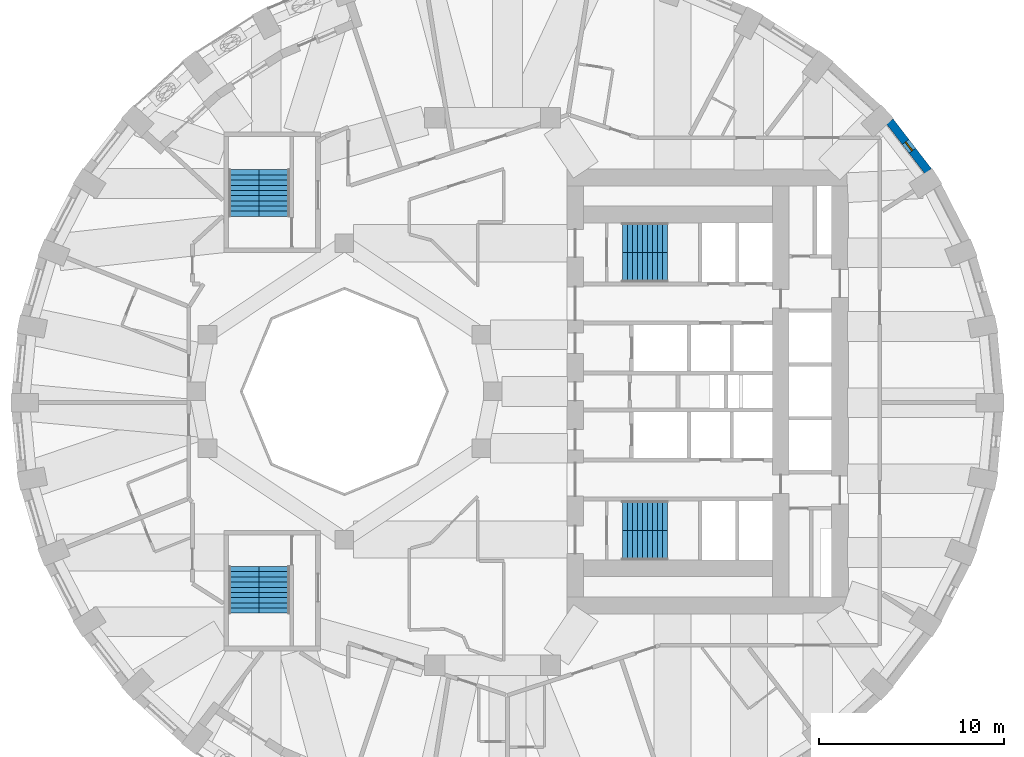
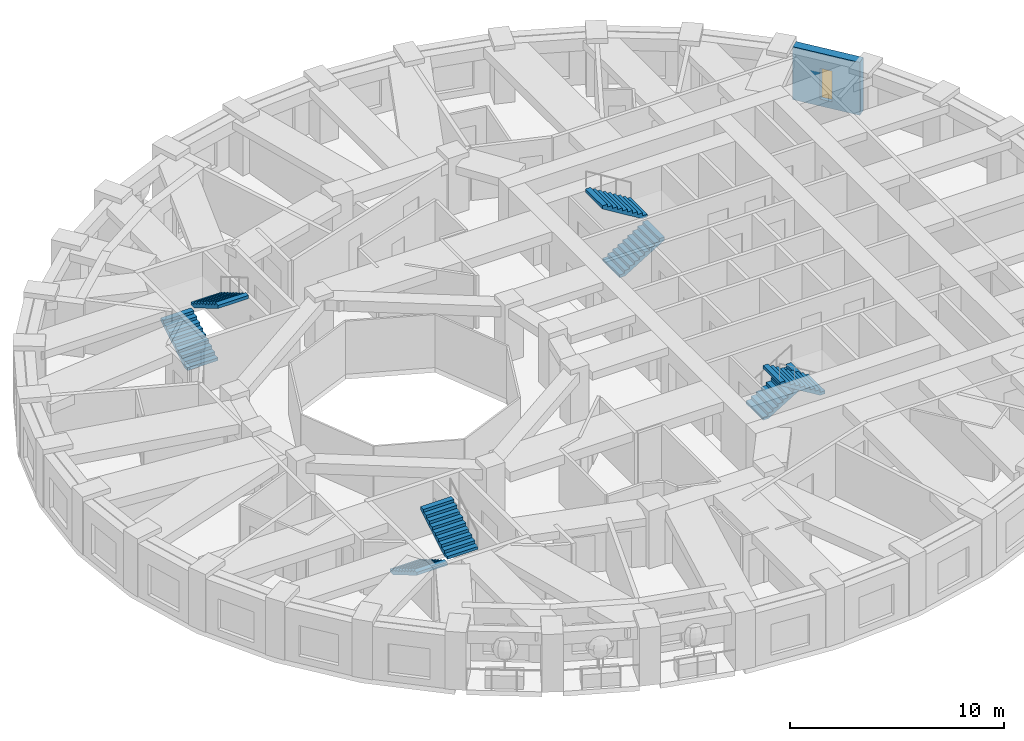
# One storey, part 9 of 12: 8 stair flights, 1 wall, 1 window, 1 opening, 4 elements without a shape of their own.
"""IFC4 building model written with IfcOpenShell, lengths in metres."""

from ifc_helpers import new_model, si_unit, direction, frame, frame_2d, origin, place, context, subcontext, project, spatial, polyline, rectangle, outline, extrude, material, layer, layer_set, type_object, element, fill, aggregate, save


model = new_model("IFC4")

# Units and contexts
model_context = context("Model", 3, precision=1e-05, world=origin(), true_north=direction((0.0, 1.0)))
body_context = subcontext(model_context, "Body", "Model", "MODEL_VIEW")
ifc_project = project(units=[si_unit("LENGTHUNIT", "METRE"), si_unit("AREAUNIT", "SQUARE_METRE"), si_unit("VOLUMEUNIT", "CUBIC_METRE"), si_unit("PLANEANGLEUNIT", "RADIAN"), si_unit("MASSUNIT", "GRAM", prefix="KILO")], contexts=[model_context])

# Site, building, storey
site_placement = place(None, origin())
site = spatial("IfcSite", under=ifc_project, at=site_placement, CompositionType="ELEMENT")
building_placement = place(site_placement, origin())
building = spatial("IfcBuilding", under=site, at=building_placement, Name="Taillehof Tower", CompositionType="ELEMENT")
storey_placement = place(building_placement, frame((0.0, 0.0, 118.60009765625)))
storey = spatial("IfcBuildingStorey", under=building, at=storey_placement, Name="L33", CompositionType="ELEMENT", Elevation=118.60009765625)

# Wall, opening, window
ifc_material_1 = material(Name="Brick masonry", Category="masonry")
ifc_layer = layer(ifc_material_1, 0.449951171875)
ifc_layer_set = layer_set([ifc_layer], Name="Brick infill wall 450")
wall_type = type_object("IfcWallType", Name="Brick infill wall 450", PredefinedType="SOLIDWALL", material=ifc_layer_set)
wall_placement = place(storey_placement, frame((23.508056640625, 11.887451171875, 0.0), z_axis=(0.0, 0.0, 1.0), x_axis=(-0.610693945156, 0.791866721961, 0.0)))
wall = element("IfcWall", 1, at=wall_placement, inside=storey, type_object=wall_type, Name="Brick wall L33 bay 4", PredefinedType="SOLIDWALL", context=body_context, shape_type="SweptSolid", body=[
    extrude(rectangle(XDim=3.39453125, YDim=0.449951171875, at=frame_2d((1.697265625, 0.0))), origin(), (0.0, 0.0, 1.0), 3.02001953125),
])
opening_placement = place(wall_placement, frame((1.397216796875, 0.0, 0.39990234375)))
opening = element("IfcOpeningElement", 2, at=opening_placement, cuts=wall, Name="Opening W6", PredefinedType="OPENING", context=body_context, shape_type="SweptSolid", body=[
    extrude(rectangle(XDim=0.60009765625, YDim=1.75, at=frame_2d((0.300048828125, 0.875))), frame((0.0, 0.23486328125, 0.0), z_axis=(0.0, -1.0, 0.0), x_axis=(1.0, 0.0, 0.0)), (0.0, 0.0, 1.0), 0.469970703125),
])
ifc_material_2 = material(Name="Aluminium window frame with clear double glazing", Category="aluminium")
window_type = type_object("IfcWindowType", Name="Slot window 600x1750", PartitioningType="SINGLE_PANEL", PredefinedType="WINDOW", material=ifc_material_2)
window_placement = place(opening_placement, origin())
window = element("IfcWindow", 3, at=window_placement, inside=storey, type_object=window_type, Name="W6", OverallHeight=1.75, OverallWidth=0.60009765625, PartitioningType="SINGLE_PANEL", PredefinedType="WINDOW", context=body_context, shape_type="SweptSolid", body=[
    extrude(rectangle(XDim=0.60009765625, YDim=1.75, at=frame_2d((0.300048828125, 0.875))), frame((0.0, 0.034912109375, 0.0), z_axis=(0.0, -1.0, 0.0), x_axis=(1.0, 0.0, 0.0)), (0.0, 0.0, 1.0), 0.06005859375),
])
fill(opening, window)

# Stair, stair flights
ifc_material_3 = material(Name="Concrete C40/50", Category="concrete")
stair_type = type_object("IfcStairType", Name="Exit stair half-turn", PredefinedType="HALF_TURN_STAIR", material=ifc_material_3)
stair_1_placement = place(storey_placement, origin())
stair_1 = element("IfcStair", 4, at=stair_1_placement, inside=storey, type_object=stair_type, Name="Exit stair S1", PredefinedType="HALF_TURN_STAIR")
ifc_material_4 = material(Name="Concrete C40/50", Category="concrete")
stair_flight_type_1 = type_object("IfcStairFlightType", Name="Stair flight 1600 riser 165.0 going 270", PredefinedType="STRAIGHT", material=ifc_material_4)
stair_flight_1_placement = place(storey_placement, frame((7.0, 6.699951171875, 0.0), z_axis=(0.0, 0.0, 1.0), x_axis=(1.0, 0.0, 0.0)))
stair_flight_1 = element("IfcStairFlight", 5, at=stair_flight_1_placement, type_object=stair_flight_type_1, Name="S1 flight 1", NumberOfRisers=10, NumberOfTreads=9, PredefinedType="STRAIGHT", RiserHeight=0.165, TreadLength=0.27, context=body_context, shape_type="SweptSolid", body=[
    extrude(outline(polyline([(0.0, 0.0), (0.0, 0.00537109375), (0.0, 0.0107421875), (0.0, 0.015869140625), (0.0, 0.021240234375), (0.0, 0.026611328125), (0.0, 0.031982421875), (0.0, 0.037353515625), (0.0, 0.04248046875), (0.0, 0.0478515625), (0.0, 0.05322265625), (0.0, 0.05859375), (0.0, 0.06396484375), (0.0, 0.069091796875), (0.0, 0.074462890625), (0.0, 0.079833984375), (0.0, 0.085205078125), (0.0, 0.090576171875), (0.0, 0.095703125), (0.0, 0.10107421875), (0.0, 0.1064453125), (0.0, 0.11181640625), (0.0, 0.1171875), (0.0, 0.122314453125), (0.0, 0.127685546875), (0.0, 0.133056640625), (0.0, 0.138427734375), (0.0, 0.143798828125), (0.0, 0.14892578125), (0.0, 0.154296875), (0.0, 0.15966796875), (0.0, 0.1650390625), (0.27001953125, 0.1650390625), (0.27001953125, 0.330078125), (0.5400390625, 0.330078125), (0.5400390625, 0.4951171875), (0.81005859375, 0.4951171875), (0.81005859375, 0.659912109375), (1.080078125, 0.659912109375), (1.080078125, 0.824951171875), (1.35009765625, 0.824951171875), (1.35009765625, 0.989990234375), (1.6201171875, 0.989990234375), (1.6201171875, 1.155029296875), (1.889892578125, 1.155029296875), (1.889892578125, 1.320068359375), (2.159912109375, 1.320068359375), (2.159912109375, 1.485107421875), (2.429931640625, 1.485107421875), (2.429931640625, 1.479248046875), (2.429931640625, 1.4736328125), (2.429931640625, 1.468017578125), (2.429931640625, 1.46240234375), (2.429931640625, 1.45654296875), (2.429931640625, 1.450927734375), (2.429931640625, 1.4453125), (2.429931640625, 1.439697265625), (2.429931640625, 1.43408203125), (2.429931640625, 1.42822265625), (2.429931640625, 1.422607421875), (2.429931640625, 1.4169921875), (2.429931640625, 1.411376953125), (2.429931640625, 1.40576171875), (2.429931640625, 1.39990234375), (2.429931640625, 1.394287109375), (2.429931640625, 1.388671875), (2.429931640625, 1.383056640625), (2.429931640625, 1.37744140625), (2.429931640625, 1.37158203125), (2.429931640625, 1.365966796875), (2.429931640625, 1.3603515625), (2.429931640625, 1.354736328125), (2.429931640625, 1.348876953125), (2.429931640625, 1.34326171875), (2.429931640625, 1.337646484375), (2.429931640625, 1.33203125), (2.429931640625, 1.326416015625), (2.429931640625, 1.320556640625), (2.429931640625, 1.31494140625), (2.429931640625, 1.309326171875), (0.287353515625, 0.0), (0.0, 0.0)])), frame((0.0, 0.800048828125, 0.0), z_axis=(0.0, -1.0, 0.0), x_axis=(1.0, 0.0, 0.0)), (0.0, 0.0, 1.0), 1.6),
])
stair_flight_2_placement = place(storey_placement, frame((9.429931640625, 8.300048828125, 1.64990234375), z_axis=(0.0, 0.0, 1.0), x_axis=(-1.0, 0.0, 0.0)))
stair_flight_2 = element("IfcStairFlight", 6, at=stair_flight_2_placement, type_object=stair_flight_type_1, Name="S1 flight 2", NumberOfRisers=10, NumberOfTreads=9, PredefinedType="STRAIGHT", RiserHeight=0.165, TreadLength=0.27, context=body_context, shape_type="SweptSolid", body=[
    extrude(outline(polyline([(0.0, 0.0), (0.0, 0.00537109375), (0.0, 0.0107421875), (0.0, 0.015869140625), (0.0, 0.021240234375), (0.0, 0.026611328125), (0.0, 0.031982421875), (0.0, 0.037353515625), (0.0, 0.04248046875), (0.0, 0.0478515625), (0.0, 0.05322265625), (0.0, 0.05859375), (0.0, 0.06396484375), (0.0, 0.069091796875), (0.0, 0.074462890625), (0.0, 0.079833984375), (0.0, 0.085205078125), (0.0, 0.090576171875), (0.0, 0.095703125), (0.0, 0.10107421875), (0.0, 0.1064453125), (0.0, 0.11181640625), (0.0, 0.1171875), (0.0, 0.122314453125), (0.0, 0.127685546875), (0.0, 0.133056640625), (0.0, 0.138427734375), (0.0, 0.143798828125), (0.0, 0.14892578125), (0.0, 0.154296875), (0.0, 0.15966796875), (0.0, 0.1650390625), (0.27001953125, 0.1650390625), (0.27001953125, 0.330078125), (0.5400390625, 0.330078125), (0.5400390625, 0.4951171875), (0.81005859375, 0.4951171875), (0.81005859375, 0.659912109375), (1.080078125, 0.659912109375), (1.080078125, 0.824951171875), (1.35009765625, 0.824951171875), (1.35009765625, 0.989990234375), (1.6201171875, 0.989990234375), (1.6201171875, 1.155029296875), (1.889892578125, 1.155029296875), (1.889892578125, 1.320068359375), (2.159912109375, 1.320068359375), (2.159912109375, 1.485107421875), (2.429931640625, 1.485107421875), (2.429931640625, 1.479248046875), (2.429931640625, 1.4736328125), (2.429931640625, 1.468017578125), (2.429931640625, 1.46240234375), (2.429931640625, 1.45654296875), (2.429931640625, 1.450927734375), (2.429931640625, 1.4453125), (2.429931640625, 1.439697265625), (2.429931640625, 1.43408203125), (2.429931640625, 1.42822265625), (2.429931640625, 1.422607421875), (2.429931640625, 1.4169921875), (2.429931640625, 1.411376953125), (2.429931640625, 1.40576171875), (2.429931640625, 1.39990234375), (2.429931640625, 1.394287109375), (2.429931640625, 1.388671875), (2.429931640625, 1.383056640625), (2.429931640625, 1.37744140625), (2.429931640625, 1.37158203125), (2.429931640625, 1.365966796875), (2.429931640625, 1.3603515625), (2.429931640625, 1.354736328125), (2.429931640625, 1.348876953125), (2.429931640625, 1.34326171875), (2.429931640625, 1.337646484375), (2.429931640625, 1.33203125), (2.429931640625, 1.326416015625), (2.429931640625, 1.320556640625), (2.429931640625, 1.31494140625), (2.429931640625, 1.309326171875), (0.287353515625, 0.0), (0.0, 0.0)])), frame((0.0, 0.800048828125, 0.0), z_axis=(0.0, -1.0, 0.0), x_axis=(1.0, 0.0, 0.0)), (0.0, 0.0, 1.0), 1.6),
])
aggregate(stair_1, [stair_flight_1, stair_flight_2])

stair_2_placement = place(storey_placement, origin())
stair_2 = element("IfcStair", 7, at=stair_2_placement, inside=storey, type_object=stair_type, Name="Exit stair S2", PredefinedType="HALF_TURN_STAIR")
stair_flight_3_placement = place(storey_placement, frame((7.0, -6.699951171875, 0.0), z_axis=(0.0, 0.0, 1.0), x_axis=(1.0, 0.0, 0.0)))
stair_flight_3 = element("IfcStairFlight", 8, at=stair_flight_3_placement, type_object=stair_flight_type_1, Name="S2 flight 1", NumberOfRisers=10, NumberOfTreads=9, PredefinedType="STRAIGHT", RiserHeight=0.165, TreadLength=0.27, context=body_context, shape_type="SweptSolid", body=[
    extrude(outline(polyline([(0.0, 0.0), (0.0, 0.00537109375), (0.0, 0.0107421875), (0.0, 0.015869140625), (0.0, 0.021240234375), (0.0, 0.026611328125), (0.0, 0.031982421875), (0.0, 0.037353515625), (0.0, 0.04248046875), (0.0, 0.0478515625), (0.0, 0.05322265625), (0.0, 0.05859375), (0.0, 0.06396484375), (0.0, 0.069091796875), (0.0, 0.074462890625), (0.0, 0.079833984375), (0.0, 0.085205078125), (0.0, 0.090576171875), (0.0, 0.095703125), (0.0, 0.10107421875), (0.0, 0.1064453125), (0.0, 0.11181640625), (0.0, 0.1171875), (0.0, 0.122314453125), (0.0, 0.127685546875), (0.0, 0.133056640625), (0.0, 0.138427734375), (0.0, 0.143798828125), (0.0, 0.14892578125), (0.0, 0.154296875), (0.0, 0.15966796875), (0.0, 0.1650390625), (0.27001953125, 0.1650390625), (0.27001953125, 0.330078125), (0.5400390625, 0.330078125), (0.5400390625, 0.4951171875), (0.81005859375, 0.4951171875), (0.81005859375, 0.659912109375), (1.080078125, 0.659912109375), (1.080078125, 0.824951171875), (1.35009765625, 0.824951171875), (1.35009765625, 0.989990234375), (1.6201171875, 0.989990234375), (1.6201171875, 1.155029296875), (1.889892578125, 1.155029296875), (1.889892578125, 1.320068359375), (2.159912109375, 1.320068359375), (2.159912109375, 1.485107421875), (2.429931640625, 1.485107421875), (2.429931640625, 1.479248046875), (2.429931640625, 1.4736328125), (2.429931640625, 1.468017578125), (2.429931640625, 1.46240234375), (2.429931640625, 1.45654296875), (2.429931640625, 1.450927734375), (2.429931640625, 1.4453125), (2.429931640625, 1.439697265625), (2.429931640625, 1.43408203125), (2.429931640625, 1.42822265625), (2.429931640625, 1.422607421875), (2.429931640625, 1.4169921875), (2.429931640625, 1.411376953125), (2.429931640625, 1.40576171875), (2.429931640625, 1.39990234375), (2.429931640625, 1.394287109375), (2.429931640625, 1.388671875), (2.429931640625, 1.383056640625), (2.429931640625, 1.37744140625), (2.429931640625, 1.37158203125), (2.429931640625, 1.365966796875), (2.429931640625, 1.3603515625), (2.429931640625, 1.354736328125), (2.429931640625, 1.348876953125), (2.429931640625, 1.34326171875), (2.429931640625, 1.337646484375), (2.429931640625, 1.33203125), (2.429931640625, 1.326416015625), (2.429931640625, 1.320556640625), (2.429931640625, 1.31494140625), (2.429931640625, 1.309326171875), (0.287353515625, 0.0), (0.0, 0.0)])), frame((0.0, 0.800048828125, 0.0), z_axis=(0.0, -1.0, 0.0), x_axis=(1.0, 0.0, 0.0)), (0.0, 0.0, 1.0), 1.6),
])
stair_flight_4_placement = place(storey_placement, frame((9.429931640625, -8.300048828125, 1.64990234375), z_axis=(0.0, 0.0, 1.0), x_axis=(-1.0, 0.0, 0.0)))
stair_flight_4 = element("IfcStairFlight", 9, at=stair_flight_4_placement, type_object=stair_flight_type_1, Name="S2 flight 2", NumberOfRisers=10, NumberOfTreads=9, PredefinedType="STRAIGHT", RiserHeight=0.165, TreadLength=0.27, context=body_context, shape_type="SweptSolid", body=[
    extrude(outline(polyline([(0.0, 0.0), (0.0, 0.00537109375), (0.0, 0.0107421875), (0.0, 0.015869140625), (0.0, 0.021240234375), (0.0, 0.026611328125), (0.0, 0.031982421875), (0.0, 0.037353515625), (0.0, 0.04248046875), (0.0, 0.0478515625), (0.0, 0.05322265625), (0.0, 0.05859375), (0.0, 0.06396484375), (0.0, 0.069091796875), (0.0, 0.074462890625), (0.0, 0.079833984375), (0.0, 0.085205078125), (0.0, 0.090576171875), (0.0, 0.095703125), (0.0, 0.10107421875), (0.0, 0.1064453125), (0.0, 0.11181640625), (0.0, 0.1171875), (0.0, 0.122314453125), (0.0, 0.127685546875), (0.0, 0.133056640625), (0.0, 0.138427734375), (0.0, 0.143798828125), (0.0, 0.14892578125), (0.0, 0.154296875), (0.0, 0.15966796875), (0.0, 0.1650390625), (0.27001953125, 0.1650390625), (0.27001953125, 0.330078125), (0.5400390625, 0.330078125), (0.5400390625, 0.4951171875), (0.81005859375, 0.4951171875), (0.81005859375, 0.659912109375), (1.080078125, 0.659912109375), (1.080078125, 0.824951171875), (1.35009765625, 0.824951171875), (1.35009765625, 0.989990234375), (1.6201171875, 0.989990234375), (1.6201171875, 1.155029296875), (1.889892578125, 1.155029296875), (1.889892578125, 1.320068359375), (2.159912109375, 1.320068359375), (2.159912109375, 1.485107421875), (2.429931640625, 1.485107421875), (2.429931640625, 1.479248046875), (2.429931640625, 1.4736328125), (2.429931640625, 1.468017578125), (2.429931640625, 1.46240234375), (2.429931640625, 1.45654296875), (2.429931640625, 1.450927734375), (2.429931640625, 1.4453125), (2.429931640625, 1.439697265625), (2.429931640625, 1.43408203125), (2.429931640625, 1.42822265625), (2.429931640625, 1.422607421875), (2.429931640625, 1.4169921875), (2.429931640625, 1.411376953125), (2.429931640625, 1.40576171875), (2.429931640625, 1.39990234375), (2.429931640625, 1.394287109375), (2.429931640625, 1.388671875), (2.429931640625, 1.383056640625), (2.429931640625, 1.37744140625), (2.429931640625, 1.37158203125), (2.429931640625, 1.365966796875), (2.429931640625, 1.3603515625), (2.429931640625, 1.354736328125), (2.429931640625, 1.348876953125), (2.429931640625, 1.34326171875), (2.429931640625, 1.337646484375), (2.429931640625, 1.33203125), (2.429931640625, 1.326416015625), (2.429931640625, 1.320556640625), (2.429931640625, 1.31494140625), (2.429931640625, 1.309326171875), (0.287353515625, 0.0), (0.0, 0.0)])), frame((0.0, 0.800048828125, 0.0), z_axis=(0.0, -1.0, 0.0), x_axis=(1.0, 0.0, 0.0)), (0.0, 0.0, 1.0), 1.6),
])
aggregate(stair_2, [stair_flight_3, stair_flight_4])

stair_3_placement = place(storey_placement, origin())
stair_3 = element("IfcStair", 10, at=stair_3_placement, inside=storey, type_object=stair_type, Name="Exit stair S3", PredefinedType="HALF_TURN_STAIR")
ifc_material_5 = material(Name="Concrete C40/50", Category="concrete")
stair_flight_type_2 = type_object("IfcStairFlightType", Name="Stair flight 1650 riser 165.0 going 280", PredefinedType="STRAIGHT", material=ifc_material_5)
stair_flight_5_placement = place(storey_placement, frame((-13.425048828125, 9.449951171875, 0.0), z_axis=(0.0, 0.0, 1.0), x_axis=(0.0, 1.0, 0.0)))
stair_flight_5 = element("IfcStairFlight", 11, at=stair_flight_5_placement, type_object=stair_flight_type_2, Name="S3 flight 1", NumberOfRisers=10, NumberOfTreads=9, PredefinedType="STRAIGHT", RiserHeight=0.165, TreadLength=0.28, context=body_context, shape_type="SweptSolid", body=[
    extrude(outline(polyline([(0.0, 0.0), (0.0, 0.00537109375), (0.0, 0.0107421875), (0.0, 0.015869140625), (0.0, 0.021240234375), (0.0, 0.026611328125), (0.0, 0.031982421875), (0.0, 0.037353515625), (0.0, 0.04248046875), (0.0, 0.0478515625), (0.0, 0.05322265625), (0.0, 0.05859375), (0.0, 0.06396484375), (0.0, 0.069091796875), (0.0, 0.074462890625), (0.0, 0.079833984375), (0.0, 0.085205078125), (0.0, 0.090576171875), (0.0, 0.095703125), (0.0, 0.10107421875), (0.0, 0.1064453125), (0.0, 0.11181640625), (0.0, 0.1171875), (0.0, 0.122314453125), (0.0, 0.127685546875), (0.0, 0.133056640625), (0.0, 0.138427734375), (0.0, 0.143798828125), (0.0, 0.14892578125), (0.0, 0.154296875), (0.0, 0.15966796875), (0.0, 0.1650390625), (0.280029296875, 0.1650390625), (0.280029296875, 0.330078125), (0.56005859375, 0.330078125), (0.56005859375, 0.4951171875), (0.840087890625, 0.4951171875), (0.840087890625, 0.659912109375), (1.1201171875, 0.659912109375), (1.1201171875, 0.824951171875), (1.39990234375, 0.824951171875), (1.39990234375, 0.989990234375), (1.679931640625, 0.989990234375), (1.679931640625, 1.155029296875), (1.9599609375, 1.155029296875), (1.9599609375, 1.320068359375), (2.239990234375, 1.320068359375), (2.239990234375, 1.485107421875), (2.52001953125, 1.485107421875), (2.52001953125, 1.4794921875), (2.52001953125, 1.473876953125), (2.52001953125, 1.46826171875), (2.52001953125, 1.462646484375), (2.52001953125, 1.45703125), (2.52001953125, 1.451416015625), (2.52001953125, 1.44580078125), (2.52001953125, 1.440185546875), (2.52001953125, 1.4345703125), (2.52001953125, 1.428955078125), (2.52001953125, 1.42333984375), (2.52001953125, 1.417724609375), (2.52001953125, 1.412109375), (2.52001953125, 1.406494140625), (2.52001953125, 1.40087890625), (2.52001953125, 1.395263671875), (2.52001953125, 1.3896484375), (2.52001953125, 1.384033203125), (2.52001953125, 1.37841796875), (2.52001953125, 1.372802734375), (2.52001953125, 1.3671875), (2.52001953125, 1.361572265625), (2.52001953125, 1.35595703125), (2.52001953125, 1.350341796875), (2.52001953125, 1.3447265625), (2.52001953125, 1.339111328125), (2.52001953125, 1.33349609375), (2.52001953125, 1.327880859375), (2.52001953125, 1.322265625), (2.52001953125, 1.316650390625), (2.52001953125, 1.31103515625), (0.295166015625, 0.0), (0.0, 0.0)])), frame((0.0, 0.824951171875, 0.0), z_axis=(0.0, -1.0, 0.0), x_axis=(1.0, 0.0, 0.0)), (0.0, 0.0, 1.0), 1.65),
])
stair_flight_6_placement = place(storey_placement, frame((-11.77490234375, 11.969970703125, 1.64990234375), z_axis=(0.0, 0.0, 1.0), x_axis=(0.0, -1.0, 0.0)))
stair_flight_6 = element("IfcStairFlight", 12, at=stair_flight_6_placement, type_object=stair_flight_type_2, Name="S3 flight 2", NumberOfRisers=10, NumberOfTreads=9, PredefinedType="STRAIGHT", RiserHeight=0.165, TreadLength=0.28, context=body_context, shape_type="SweptSolid", body=[
    extrude(outline(polyline([(0.0, 0.0), (0.0, 0.00537109375), (0.0, 0.0107421875), (0.0, 0.015869140625), (0.0, 0.021240234375), (0.0, 0.026611328125), (0.0, 0.031982421875), (0.0, 0.037353515625), (0.0, 0.04248046875), (0.0, 0.0478515625), (0.0, 0.05322265625), (0.0, 0.05859375), (0.0, 0.06396484375), (0.0, 0.069091796875), (0.0, 0.074462890625), (0.0, 0.079833984375), (0.0, 0.085205078125), (0.0, 0.090576171875), (0.0, 0.095703125), (0.0, 0.10107421875), (0.0, 0.1064453125), (0.0, 0.11181640625), (0.0, 0.1171875), (0.0, 0.122314453125), (0.0, 0.127685546875), (0.0, 0.133056640625), (0.0, 0.138427734375), (0.0, 0.143798828125), (0.0, 0.14892578125), (0.0, 0.154296875), (0.0, 0.15966796875), (0.0, 0.1650390625), (0.280029296875, 0.1650390625), (0.280029296875, 0.330078125), (0.56005859375, 0.330078125), (0.56005859375, 0.4951171875), (0.840087890625, 0.4951171875), (0.840087890625, 0.659912109375), (1.1201171875, 0.659912109375), (1.1201171875, 0.824951171875), (1.39990234375, 0.824951171875), (1.39990234375, 0.989990234375), (1.679931640625, 0.989990234375), (1.679931640625, 1.155029296875), (1.9599609375, 1.155029296875), (1.9599609375, 1.320068359375), (2.239990234375, 1.320068359375), (2.239990234375, 1.485107421875), (2.52001953125, 1.485107421875), (2.52001953125, 1.4794921875), (2.52001953125, 1.473876953125), (2.52001953125, 1.46826171875), (2.52001953125, 1.462646484375), (2.52001953125, 1.45703125), (2.52001953125, 1.451416015625), (2.52001953125, 1.44580078125), (2.52001953125, 1.440185546875), (2.52001953125, 1.4345703125), (2.52001953125, 1.428955078125), (2.52001953125, 1.42333984375), (2.52001953125, 1.417724609375), (2.52001953125, 1.412109375), (2.52001953125, 1.406494140625), (2.52001953125, 1.40087890625), (2.52001953125, 1.395263671875), (2.52001953125, 1.3896484375), (2.52001953125, 1.384033203125), (2.52001953125, 1.37841796875), (2.52001953125, 1.372802734375), (2.52001953125, 1.3671875), (2.52001953125, 1.361572265625), (2.52001953125, 1.35595703125), (2.52001953125, 1.350341796875), (2.52001953125, 1.3447265625), (2.52001953125, 1.339111328125), (2.52001953125, 1.33349609375), (2.52001953125, 1.327880859375), (2.52001953125, 1.322265625), (2.52001953125, 1.316650390625), (2.52001953125, 1.31103515625), (0.295166015625, 0.0), (0.0, 0.0)])), frame((0.0, 0.824951171875, 0.0), z_axis=(0.0, -1.0, 0.0), x_axis=(1.0, 0.0, 0.0)), (0.0, 0.0, 1.0), 1.65),
])
aggregate(stair_3, [stair_flight_5, stair_flight_6])

stair_4_placement = place(storey_placement, origin())
stair_4 = element("IfcStair", 13, at=stair_4_placement, inside=storey, type_object=stair_type, Name="Exit stair S4", PredefinedType="HALF_TURN_STAIR")
stair_flight_7_placement = place(storey_placement, frame((-13.425048828125, -9.449951171875, 0.0), z_axis=(0.0, 0.0, 1.0), x_axis=(0.0, -1.0, 0.0)))
stair_flight_7 = element("IfcStairFlight", 14, at=stair_flight_7_placement, type_object=stair_flight_type_2, Name="S4 flight 1", NumberOfRisers=10, NumberOfTreads=9, PredefinedType="STRAIGHT", RiserHeight=0.165, TreadLength=0.28, context=body_context, shape_type="SweptSolid", body=[
    extrude(outline(polyline([(0.0, 0.0), (0.0, 0.00537109375), (0.0, 0.0107421875), (0.0, 0.015869140625), (0.0, 0.021240234375), (0.0, 0.026611328125), (0.0, 0.031982421875), (0.0, 0.037353515625), (0.0, 0.04248046875), (0.0, 0.0478515625), (0.0, 0.05322265625), (0.0, 0.05859375), (0.0, 0.06396484375), (0.0, 0.069091796875), (0.0, 0.074462890625), (0.0, 0.079833984375), (0.0, 0.085205078125), (0.0, 0.090576171875), (0.0, 0.095703125), (0.0, 0.10107421875), (0.0, 0.1064453125), (0.0, 0.11181640625), (0.0, 0.1171875), (0.0, 0.122314453125), (0.0, 0.127685546875), (0.0, 0.133056640625), (0.0, 0.138427734375), (0.0, 0.143798828125), (0.0, 0.14892578125), (0.0, 0.154296875), (0.0, 0.15966796875), (0.0, 0.1650390625), (0.280029296875, 0.1650390625), (0.280029296875, 0.330078125), (0.56005859375, 0.330078125), (0.56005859375, 0.4951171875), (0.840087890625, 0.4951171875), (0.840087890625, 0.659912109375), (1.1201171875, 0.659912109375), (1.1201171875, 0.824951171875), (1.39990234375, 0.824951171875), (1.39990234375, 0.989990234375), (1.679931640625, 0.989990234375), (1.679931640625, 1.155029296875), (1.9599609375, 1.155029296875), (1.9599609375, 1.320068359375), (2.239990234375, 1.320068359375), (2.239990234375, 1.485107421875), (2.52001953125, 1.485107421875), (2.52001953125, 1.4794921875), (2.52001953125, 1.473876953125), (2.52001953125, 1.46826171875), (2.52001953125, 1.462646484375), (2.52001953125, 1.45703125), (2.52001953125, 1.451416015625), (2.52001953125, 1.44580078125), (2.52001953125, 1.440185546875), (2.52001953125, 1.4345703125), (2.52001953125, 1.428955078125), (2.52001953125, 1.42333984375), (2.52001953125, 1.417724609375), (2.52001953125, 1.412109375), (2.52001953125, 1.406494140625), (2.52001953125, 1.40087890625), (2.52001953125, 1.395263671875), (2.52001953125, 1.3896484375), (2.52001953125, 1.384033203125), (2.52001953125, 1.37841796875), (2.52001953125, 1.372802734375), (2.52001953125, 1.3671875), (2.52001953125, 1.361572265625), (2.52001953125, 1.35595703125), (2.52001953125, 1.350341796875), (2.52001953125, 1.3447265625), (2.52001953125, 1.339111328125), (2.52001953125, 1.33349609375), (2.52001953125, 1.327880859375), (2.52001953125, 1.322265625), (2.52001953125, 1.316650390625), (2.52001953125, 1.31103515625), (0.295166015625, 0.0), (0.0, 0.0)])), frame((0.0, 0.824951171875, 0.0), z_axis=(0.0, -1.0, 0.0), x_axis=(1.0, 0.0, 0.0)), (0.0, 0.0, 1.0), 1.65),
])
stair_flight_8_placement = place(storey_placement, frame((-11.77490234375, -11.969970703125, 1.64990234375), z_axis=(0.0, 0.0, 1.0), x_axis=(0.0, 1.0, 0.0)))
stair_flight_8 = element("IfcStairFlight", 15, at=stair_flight_8_placement, type_object=stair_flight_type_2, Name="S4 flight 2", NumberOfRisers=10, NumberOfTreads=9, PredefinedType="STRAIGHT", RiserHeight=0.165, TreadLength=0.28, context=body_context, shape_type="SweptSolid", body=[
    extrude(outline(polyline([(0.0, 0.0), (0.0, 0.00537109375), (0.0, 0.0107421875), (0.0, 0.015869140625), (0.0, 0.021240234375), (0.0, 0.026611328125), (0.0, 0.031982421875), (0.0, 0.037353515625), (0.0, 0.04248046875), (0.0, 0.0478515625), (0.0, 0.05322265625), (0.0, 0.05859375), (0.0, 0.06396484375), (0.0, 0.069091796875), (0.0, 0.074462890625), (0.0, 0.079833984375), (0.0, 0.085205078125), (0.0, 0.090576171875), (0.0, 0.095703125), (0.0, 0.10107421875), (0.0, 0.1064453125), (0.0, 0.11181640625), (0.0, 0.1171875), (0.0, 0.122314453125), (0.0, 0.127685546875), (0.0, 0.133056640625), (0.0, 0.138427734375), (0.0, 0.143798828125), (0.0, 0.14892578125), (0.0, 0.154296875), (0.0, 0.15966796875), (0.0, 0.1650390625), (0.280029296875, 0.1650390625), (0.280029296875, 0.330078125), (0.56005859375, 0.330078125), (0.56005859375, 0.4951171875), (0.840087890625, 0.4951171875), (0.840087890625, 0.659912109375), (1.1201171875, 0.659912109375), (1.1201171875, 0.824951171875), (1.39990234375, 0.824951171875), (1.39990234375, 0.989990234375), (1.679931640625, 0.989990234375), (1.679931640625, 1.155029296875), (1.9599609375, 1.155029296875), (1.9599609375, 1.320068359375), (2.239990234375, 1.320068359375), (2.239990234375, 1.485107421875), (2.52001953125, 1.485107421875), (2.52001953125, 1.4794921875), (2.52001953125, 1.473876953125), (2.52001953125, 1.46826171875), (2.52001953125, 1.462646484375), (2.52001953125, 1.45703125), (2.52001953125, 1.451416015625), (2.52001953125, 1.44580078125), (2.52001953125, 1.440185546875), (2.52001953125, 1.4345703125), (2.52001953125, 1.428955078125), (2.52001953125, 1.42333984375), (2.52001953125, 1.417724609375), (2.52001953125, 1.412109375), (2.52001953125, 1.406494140625), (2.52001953125, 1.40087890625), (2.52001953125, 1.395263671875), (2.52001953125, 1.3896484375), (2.52001953125, 1.384033203125), (2.52001953125, 1.37841796875), (2.52001953125, 1.372802734375), (2.52001953125, 1.3671875), (2.52001953125, 1.361572265625), (2.52001953125, 1.35595703125), (2.52001953125, 1.350341796875), (2.52001953125, 1.3447265625), (2.52001953125, 1.339111328125), (2.52001953125, 1.33349609375), (2.52001953125, 1.327880859375), (2.52001953125, 1.322265625), (2.52001953125, 1.316650390625), (2.52001953125, 1.31103515625), (0.295166015625, 0.0), (0.0, 0.0)])), frame((0.0, 0.824951171875, 0.0), z_axis=(0.0, -1.0, 0.0), x_axis=(1.0, 0.0, 0.0)), (0.0, 0.0, 1.0), 1.65),
])
aggregate(stair_4, [stair_flight_7, stair_flight_8])

save(model, "model.ifc")
